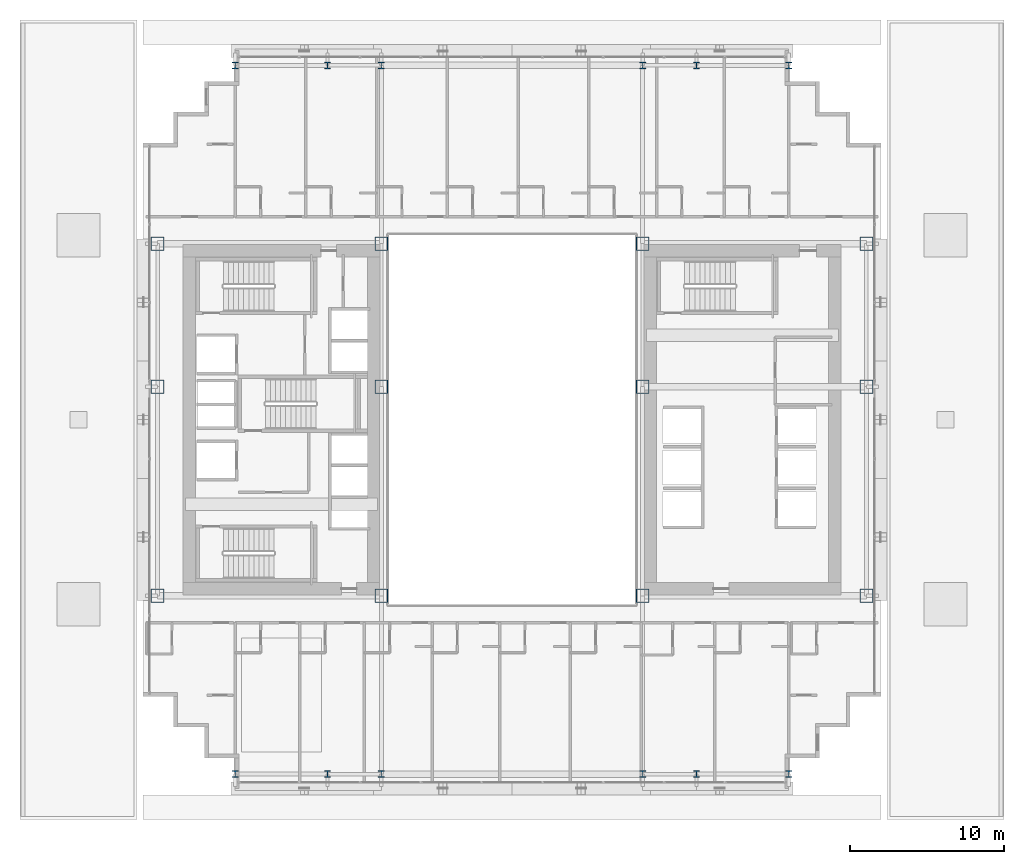
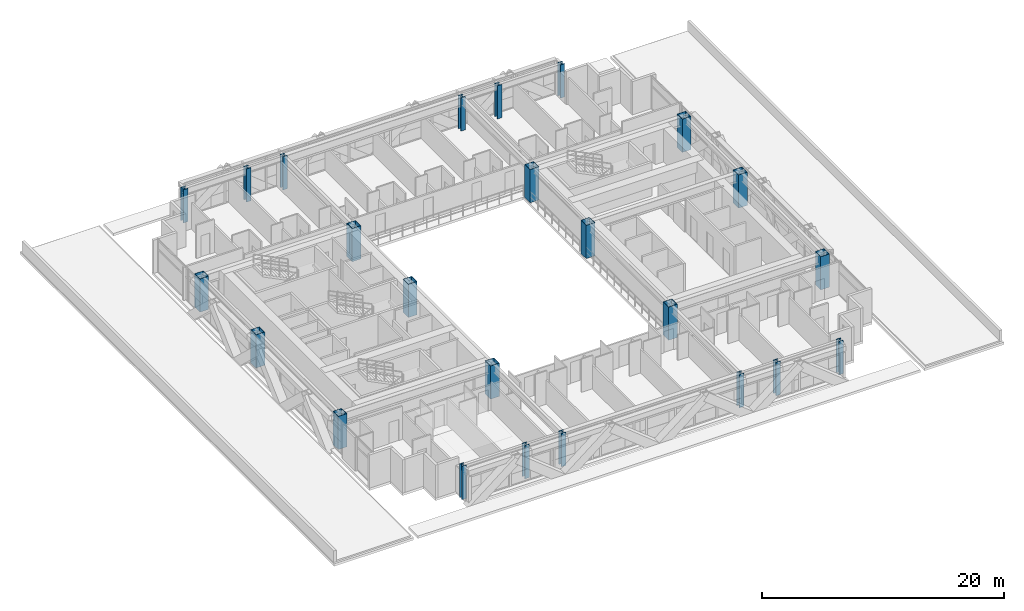
# One storey, part 1 of 35: 24 columns.
"""IFC4 building model written with IfcOpenShell, lengths in metres."""

from ifc_helpers import new_model, si_unit, direction, frame, origin, origin_2d, place, context, subcontext, project, spatial, hollow_rectangle, i_section, extrude, source, transform, mapped, material, material_profile, profile_set, type_object, element, save


model = new_model("IFC4")

# Units and contexts
model_context = context("Model", 3, precision=1e-05, world=origin(), true_north=direction((0.0, 1.0)))
body_context = subcontext(model_context, "Body", "Model", "MODEL_VIEW")
ifc_project = project(units=[si_unit("LENGTHUNIT", "METRE"), si_unit("AREAUNIT", "SQUARE_METRE"), si_unit("VOLUMEUNIT", "CUBIC_METRE"), si_unit("PLANEANGLEUNIT", "RADIAN"), si_unit("MASSUNIT", "GRAM", prefix="KILO")], contexts=[model_context])

# Site, building, storey
site_placement = place(None, origin())
site = spatial("IfcSite", under=ifc_project, at=site_placement, CompositionType="ELEMENT")
building_placement = place(site_placement, origin())
building = spatial("IfcBuilding", under=site, at=building_placement, Name="Ocotamira Hotel", CompositionType="ELEMENT")
storey_placement = place(building_placement, frame((0.0, 0.0, 34.800048828125)))
storey = spatial("IfcBuildingStorey", under=building, at=storey_placement, Name="L07", CompositionType="ELEMENT", Elevation=34.800048828125)

# Columns
ifc_material = material(Name="Steel ASTM A913 Grade 65", Category="steel")
ifc_material_profile_1 = material_profile(ifc_material, hollow_rectangle(XDim=0.85009765625, YDim=0.89990234375, WallThickness=0.0400390625, at=origin_2d()), Name="BOX900X850X40")
ifc_profile_set_1 = profile_set([ifc_material_profile_1], Name="Steel ASTM A913 Grade 65")
column_type_1 = type_object("IfcColumnType", Name="COL-BOX900", PredefinedType="COLUMN", material=ifc_profile_set_1)
shared_shape_1 = source(origin(), body_context, "Body", "SweptSolid", [
    extrude(hollow_rectangle(XDim=0.85009765625, YDim=0.89990234375, WallThickness=0.0400390625, at=origin_2d()), origin(), (0.0, 0.0, 1.0), 3.349853515625),
])
for number, where, z_axis, x_axis, name in (
    (1, (8.949951171875, 14.550048828125, 0.0), (0.0, 0.0, 1.0), (1.0, 0.0, 0.0), "L07 Column TW8_14"),
    (2, (23.5, 14.550048828125, 0.0), (0.0, 0.0, 1.0), (1.0, 0.0, 0.0), "L07 Column TW23_14"),
    (3, (40.5, 14.550048828125, 0.0), (0.0, 0.0, 1.0), (1.0, 0.0, 0.0), "L07 Column TE40_14"),
    (4, (55.050048828125, 14.550048828125, 0.0), (0.0, 0.0, 1.0), (1.0, 0.0, 0.0), "L07 Column TE55_14"),
    (5, (8.949951171875, 28.14990234375, 0.0), (0.0, 0.0, 1.0), (1.0, 0.0, 0.0), "L07 Column TW8_28"),
    (6, (23.5, 28.14990234375, 0.0), (0.0, 0.0, 1.0), (1.0, 0.0, 0.0), "L07 Column TW23_28"),
    (7, (40.5, 28.14990234375, 0.0), (0.0, 0.0, 1.0), (1.0, 0.0, 0.0), "L07 Column TE40_28"),
    (8, (55.050048828125, 28.14990234375, 0.0), (0.0, 0.0, 1.0), (1.0, 0.0, 0.0), "L07 Column TE55_28"),
    (9, (8.949951171875, 37.449951171875, 0.0), (0.0, 0.0, 1.0), (1.0, 0.0, 0.0), "L07 Column TW8_37"),
    (10, (23.5, 37.449951171875, 0.0), (0.0, 0.0, 1.0), (1.0, 0.0, 0.0), "L07 Column TW23_37"),
    (11, (40.5, 37.449951171875, 0.0), (0.0, 0.0, 1.0), (1.0, 0.0, 0.0), "L07 Column TE40_37"),
    (12, (55.050048828125, 37.449951171875, 0.0), (0.0, 0.0, 1.0), (1.0, 0.0, 0.0), "L07 Column TE55_37"),
):
    element("IfcColumn", number, at=place(storey_placement, frame(where, z_axis=z_axis, x_axis=x_axis)), inside=storey, type_object=column_type_1, Name=name, PredefinedType="COLUMN", context=body_context, shape_type="MappedRepresentation", body=[
        mapped(shared_shape_1, transform((0.0, 0.0, 0.0), scale=1.0)),
    ])
ifc_material_profile_2 = material_profile(ifc_material, i_section(OverallWidth=0.422119140625, OverallDepth=0.465087890625, WebThickness=0.044921875, FlangeThickness=0.072509765625, FilletRadius=0.02490234375, at=origin_2d()), Name="W14X398")
ifc_profile_set_2 = profile_set([ifc_material_profile_2], Name="Steel ASTM A913 Grade 65")
column_type_2 = type_object("IfcColumnType", Name="COL-W14X398", PredefinedType="COLUMN", material=ifc_profile_set_2)
shared_shape_2 = source(origin(), body_context, "Body", "SweptSolid", [
    extrude(i_section(OverallWidth=0.422119140625, OverallDepth=0.465087890625, WebThickness=0.044921875, FlangeThickness=0.072509765625, FilletRadius=0.02490234375, at=origin_2d()), origin(), (0.0, 0.0, 1.0), 3.349853515625),
])
for number, where, z_axis, x_axis, name in (
    (13, (14.0, 2.949951171875, 0.0), (0.0, 0.0, 1.0), (1.0, 0.0, 0.0), "L07 Column NSP1_14"),
    (14, (20.0, 2.949951171875, 0.0), (0.0, 0.0, 1.0), (1.0, 0.0, 0.0), "L07 Column NSP1_20"),
    (15, (23.5, 2.949951171875, 0.0), (0.0, 0.0, 1.0), (1.0, 0.0, 0.0), "L07 Column NSP1_23"),
    (16, (40.5, 2.949951171875, 0.0), (0.0, 0.0, 1.0), (1.0, 0.0, 0.0), "L07 Column NSP1_40"),
    (17, (44.0, 2.949951171875, 0.0), (0.0, 0.0, 1.0), (1.0, 0.0, 0.0), "L07 Column NSP1_44"),
    (18, (50.0, 2.949951171875, 0.0), (0.0, 0.0, 1.0), (1.0, 0.0, 0.0), "L07 Column NSP1_50"),
    (19, (14.0, 49.050048828125, 0.0), (0.0, 0.0, 1.0), (1.0, 0.0, 0.0), "L07 Column NSP2_14"),
    (20, (20.0, 49.050048828125, 0.0), (0.0, 0.0, 1.0), (1.0, 0.0, 0.0), "L07 Column NSP2_20"),
    (21, (23.5, 49.050048828125, 0.0), (0.0, 0.0, 1.0), (1.0, 0.0, 0.0), "L07 Column NSP2_23"),
    (22, (40.5, 49.050048828125, 0.0), (0.0, 0.0, 1.0), (1.0, 0.0, 0.0), "L07 Column NSP2_40"),
    (23, (44.0, 49.050048828125, 0.0), (0.0, 0.0, 1.0), (1.0, 0.0, 0.0), "L07 Column NSP2_44"),
    (24, (50.0, 49.050048828125, 0.0), (0.0, 0.0, 1.0), (1.0, 0.0, 0.0), "L07 Column NSP2_50"),
):
    element("IfcColumn", number, at=place(storey_placement, frame(where, z_axis=z_axis, x_axis=x_axis)), inside=storey, type_object=column_type_2, Name=name, PredefinedType="COLUMN", context=body_context, shape_type="MappedRepresentation", body=[
        mapped(shared_shape_2, transform((0.0, 0.0, 0.0), scale=1.0)),
    ])

save(model, "model.ifc")
